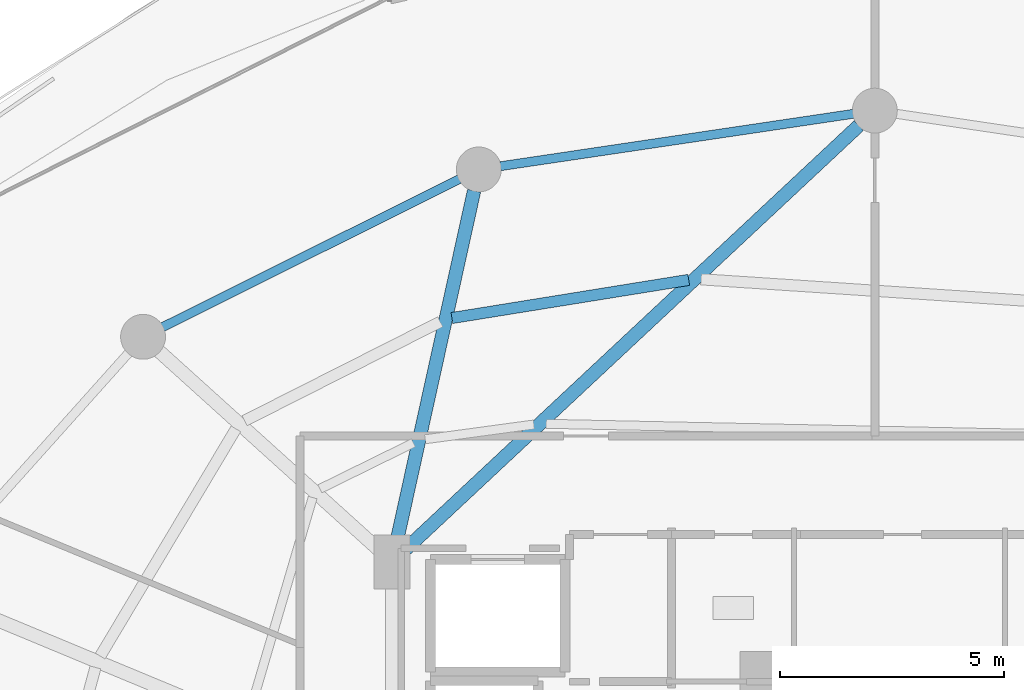
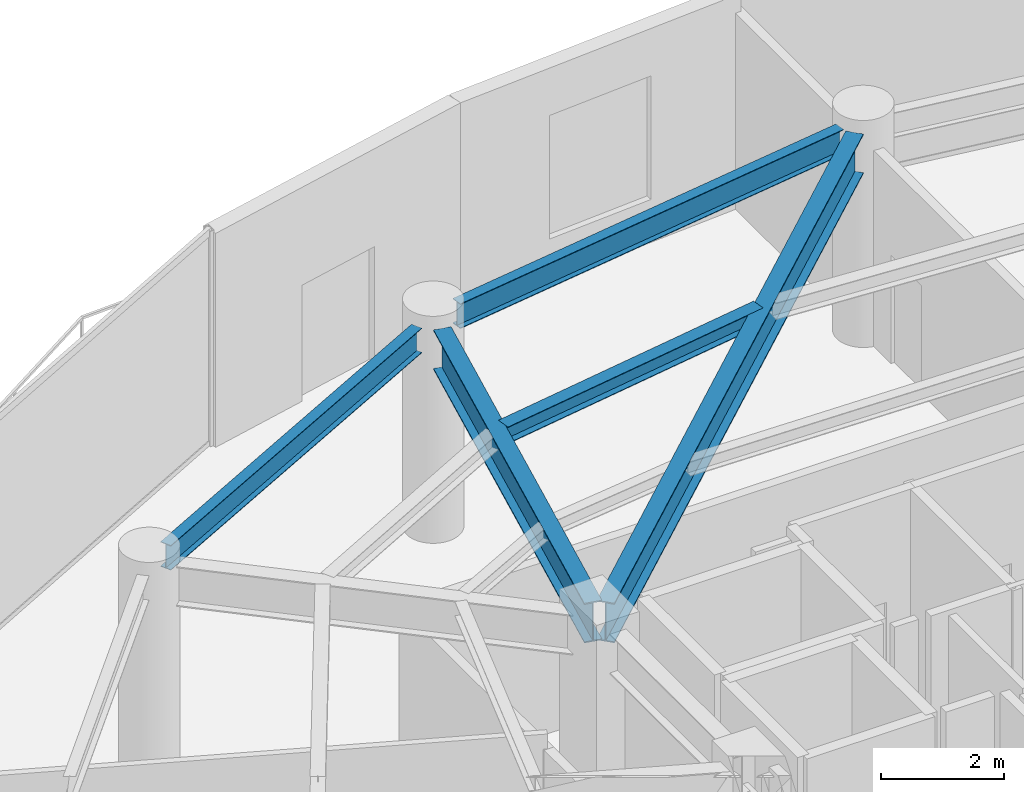
# One storey, part 19 of 31: 5 beams.
"""IFC4 building model written with IfcOpenShell, lengths in metres."""

from ifc_helpers import new_model, si_unit, direction, frame, origin, origin_2d, place, context, subcontext, project, spatial, i_section, extrude, material, material_profile, profile_set, type_object, element, save


model = new_model("IFC4")

# Units and contexts
model_context = context("Model", 3, precision=1e-05, world=origin(), true_north=direction((0.0, 1.0)))
body_context = subcontext(model_context, "Body", "Model", "MODEL_VIEW")
ifc_project = project(units=[si_unit("LENGTHUNIT", "METRE"), si_unit("AREAUNIT", "SQUARE_METRE"), si_unit("VOLUMEUNIT", "CUBIC_METRE"), si_unit("PLANEANGLEUNIT", "RADIAN"), si_unit("MASSUNIT", "GRAM", prefix="KILO")], contexts=[model_context])

# Site, building, storey
site_placement = place(None, origin())
site = spatial("IfcSite", under=ifc_project, at=site_placement, CompositionType="ELEMENT")
building_placement = place(site_placement, origin())
building = spatial("IfcBuilding", under=site, at=building_placement, Name="Vorneva Point Tower", CompositionType="ELEMENT")
storey_placement = place(building_placement, frame((0.0, 0.0, 174.60009765625)))
storey = spatial("IfcBuildingStorey", under=building, at=storey_placement, Name="L47", CompositionType="ELEMENT", Elevation=174.60009765625)

# Beams
ifc_material = material(Name="Steel S355", Category="steel")
ifc_material_profile_1 = material_profile(ifc_material, i_section(OverallWidth=0.300048828125, OverallDepth=0.7880859375, WebThickness=0.014404296875, FlangeThickness=0.02197265625, at=origin_2d()), Name="80Sh1")
ifc_profile_set_1 = profile_set([ifc_material_profile_1], Name="Steel S355")
beam_type_1 = type_object("IfcBeamType", Name="BM-GRD-80Sh1", PredefinedType="USERDEFINED", material=ifc_profile_set_1)
beam_1_placement = place(storey_placement, frame((37.6435546875, 42.86669921875, 3.845947265625), z_axis=(-0.730490907119, -0.682922422107, 0.0), x_axis=(0.682922422107, -0.730490907119, 0.0)))
element("IfcBeam", 1, at=beam_1_placement, inside=storey, type_object=beam_type_1, Name="L47 Radial Primary Girder 05", ObjectType="GIRDER", PredefinedType="USERDEFINED", context=body_context, shape_type="SweptSolid", body=[
    extrude(i_section(OverallWidth=0.300048828125, OverallDepth=0.7880859375, WebThickness=0.014404296875, FlangeThickness=0.02197265625, at=origin_2d()), origin(), (0.0, 0.0, 1.0), 13.88818359375),
])
beam_2_placement = place(storey_placement, frame((29.073974609375, 41.414306640625, 3.845947265625), z_axis=(-0.215520500859, -0.976499315775, 0.0), x_axis=(0.976499315775, -0.215520500859, 0.0)))
element("IfcBeam", 2, at=beam_2_placement, inside=storey, type_object=beam_type_1, Name="L47 Radial Primary Girder 06", ObjectType="GIRDER", PredefinedType="USERDEFINED", context=body_context, shape_type="SweptSolid", body=[
    extrude(i_section(OverallWidth=0.300048828125, OverallDepth=0.7880859375, WebThickness=0.014404296875, FlangeThickness=0.02197265625, at=origin_2d()), origin(), (0.0, 0.0, 1.0), 8.123291015625),
])
ifc_material_profile_2 = material_profile(ifc_material, i_section(OverallWidth=0.2490234375, OverallDepth=0.333984375, WebThickness=0.008056640625, FlangeThickness=0.010986328125, at=origin_2d()), Name="35Sh1")
ifc_profile_set_2 = profile_set([ifc_material_profile_2], Name="Steel S355")
beam_type_2 = type_object("IfcBeamType", Name="BM-SEC-35Sh1", PredefinedType="BEAM", material=ifc_profile_set_2)
beam_3_placement = place(storey_placement, frame((33.85498046875, 39.430419921875, 4.072998046875), z_axis=(-0.987269836001, -0.159054301806, 0.0), x_axis=(0.159054301806, -0.987269836001, 0.0)))
element("IfcBeam", 3, at=beam_3_placement, inside=storey, type_object=beam_type_2, Name="L47 Secondary Floor Beam 1.05", PredefinedType="BEAM", context=body_context, shape_type="SweptSolid", body=[
    extrude(i_section(OverallWidth=0.2490234375, OverallDepth=0.333984375, WebThickness=0.008056640625, FlangeThickness=0.010986328125, at=origin_2d()), origin(), (0.0, 0.0, 1.0), 5.34326171875),
])
ifc_material_profile_3 = material_profile(ifc_material, i_section(OverallWidth=0.199951171875, OverallDepth=0.491943359375, WebThickness=0.0087890625, FlangeThickness=0.011962890625, at=origin_2d()), Name="50B1")
ifc_profile_set_3 = profile_set([ifc_material_profile_3], Name="Steel S355")
beam_type_3 = type_object("IfcBeamType", Name="BM-SPN-50B1", PredefinedType="SPANDREL", material=ifc_profile_set_3)
beam_4_placement = place(storey_placement, frame((37.520263671875, 43.12890625, 3.993896484375), z_axis=(-0.989161199046, -0.146833655211, 0.0), x_axis=(0.146833655211, -0.989161199046, 0.0)))
element("IfcBeam", 4, at=beam_4_placement, inside=storey, type_object=beam_type_3, Name="L47 Perimeter Spandrel Ring Beam 05", PredefinedType="SPANDREL", context=body_context, shape_type="SweptSolid", body=[
    extrude(i_section(OverallWidth=0.199951171875, OverallDepth=0.491943359375, WebThickness=0.0087890625, FlangeThickness=0.011962890625, at=origin_2d()), origin(), (0.0, 0.0, 1.0), 7.94775390625),
])
beam_5_placement = place(storey_placement, frame((28.7451171875, 41.67431640625, 3.993896484375), z_axis=(-0.894929061397, -0.446208443518, 0.0), x_axis=(0.446208443518, -0.894929061397, 0.0)))
element("IfcBeam", 5, at=beam_5_placement, inside=storey, type_object=beam_type_3, Name="L47 Perimeter Spandrel Ring Beam 06", PredefinedType="SPANDREL", context=body_context, shape_type="SweptSolid", body=[
    extrude(i_section(OverallWidth=0.199951171875, OverallDepth=0.491943359375, WebThickness=0.0087890625, FlangeThickness=0.011962890625, at=origin_2d()), origin(), (0.0, 0.0, 1.0), 7.385986328125),
])

save(model, "model.ifc")
